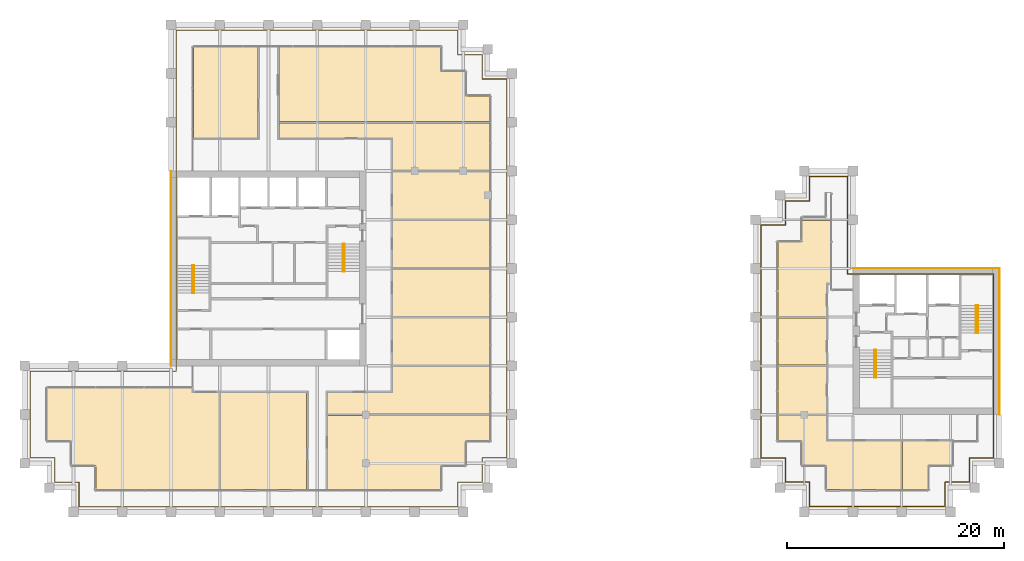
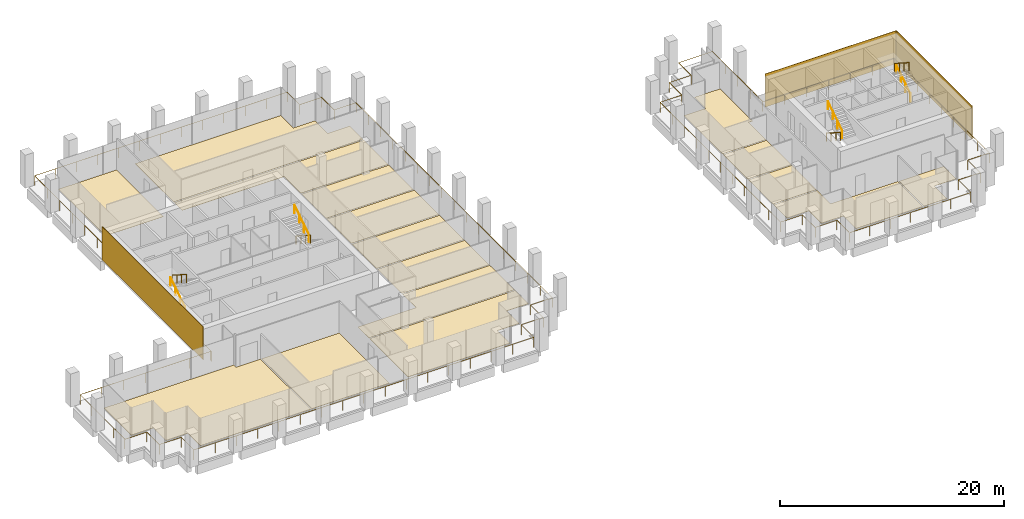
# One storey, part 40 of 40: 19 coverings, 10 railings.
"""IFC4 building model written with IfcOpenShell, lengths in metres."""

from ifc_helpers import new_model, si_unit, direction, frame, origin, origin_2d, place, context, subcontext, project, spatial, polyline, rectangle, circle, outline, extrude, source, transform, mapped, material, layer, layer_set, type_object, element, save


model = new_model("IFC4")

# Units and contexts
model_context = context("Model", 3, precision=1e-05, world=origin(), true_north=direction((0.0, 1.0)))
body_context = subcontext(model_context, "Body", "Model", "MODEL_VIEW")
ifc_project = project(units=[si_unit("LENGTHUNIT", "METRE"), si_unit("AREAUNIT", "SQUARE_METRE"), si_unit("VOLUMEUNIT", "CUBIC_METRE"), si_unit("PLANEANGLEUNIT", "RADIAN"), si_unit("MASSUNIT", "GRAM", prefix="KILO")], contexts=[model_context])

# Site, building, storey
site_placement = place(None, origin())
site = spatial("IfcSite", under=ifc_project, at=site_placement, CompositionType="ELEMENT")
building_placement = place(site_placement, origin())
building = spatial("IfcBuilding", under=site, at=building_placement, Name="Altepetl Exchange Towers", CompositionType="ELEMENT")
storey_placement = place(building_placement, frame((0.0, 0.0, 176.199951171875)))
storey = spatial("IfcBuildingStorey", under=building, at=storey_placement, Name="L44", CompositionType="ELEMENT", Elevation=176.199951171875)

# Coverings
ifc_material_1 = material(Name="Carpet tile")
ifc_layer_1 = layer(ifc_material_1, 0.02001953125)
ifc_layer_set_1 = layer_set([ifc_layer_1], Name="Carpet tile")
covering_type_1 = type_object("IfcCoveringType", Name="Carpet tile floor", PredefinedType="FLOORING", material=ifc_layer_set_1)
covering_1_placement = place(storey_placement, origin())
element("IfcCovering", 1, at=covering_1_placement, inside=storey, type_object=covering_type_1, Name="Meeting room floor finish A44.05", PredefinedType="FLOORING", context=body_context, shape_type="SweptSolid", body=[
    extrude(outline(polyline([(69.9375, 44.9375), (60.96240234375, 44.9375), (60.96240234375, 40.5625), (69.9375, 40.5625), (69.9375, 44.9375)])), origin(), (0.0, 0.0, 1.0), 0.02001953125),
])
covering_2_placement = place(storey_placement, origin())
element("IfcCovering", 2, at=covering_2_placement, inside=storey, type_object=covering_type_1, Name="Meeting room floor finish A44.06", PredefinedType="FLOORING", context=body_context, shape_type="SweptSolid", body=[
    extrude(outline(polyline([(69.9375, 49.4375), (60.96240234375, 49.4375), (60.96240234375, 45.0625), (69.9375, 45.0625), (69.9375, 49.4375)])), origin(), (0.0, 0.0, 1.0), 0.02001953125),
])
covering_3_placement = place(storey_placement, origin())
element("IfcCovering", 3, at=covering_3_placement, inside=storey, type_object=covering_type_1, Name="Open office floor finish A44.11", PredefinedType="FLOORING", context=body_context, shape_type="SweptSolid", body=[
    extrude(outline(polyline([(42.5625, 61.5625), (48.53759765625, 61.5625), (48.53759765625, 69.9375), (42.5625, 69.9375), (42.5625, 61.5625)])), origin(), (0.0, 0.0, 1.0), 0.02001953125),
])
covering_4_placement = place(storey_placement, origin())
element("IfcCovering", 4, at=covering_4_placement, inside=storey, type_object=covering_type_1, Name="Pantry floor finish B44.03", PredefinedType="FLOORING", context=body_context, shape_type="SweptSolid", body=[
    extrude(outline(polyline([(108.0625, 33.53759765625), (108.0625, 29.0625), (110.4375, 29.0625), (110.4375, 31.3125), (112.6875, 31.3125), (112.6875, 33.53759765625), (108.0625, 33.53759765625)])), origin(), (0.0, 0.0, 1.0), 0.02001953125),
])
ifc_material_2 = material(Name="Cantera stone", Category="masonry")
ifc_layer_2 = layer(ifc_material_2, 0.030029296875)
ifc_layer_set_2 = layer_set([ifc_layer_2], Name="Cantera stone")
covering_type_2 = type_object("IfcCoveringType", Name="Polished stone floor", PredefinedType="FLOORING", material=ifc_layer_set_2)
covering_5_placement = place(storey_placement, origin())
element("IfcCovering", 5, at=covering_5_placement, inside=storey, type_object=covering_type_2, Name="Staff club floor finish A44.01", PredefinedType="FLOORING", context=body_context, shape_type="SweptSolid", body=[
    extrude(outline(polyline([(31.3125, 31.3125), (33.5625, 31.3125), (33.5625, 29.0625), (44.9375, 29.0625), (44.9375, 38.03759765625), (42.4375, 38.03759765625), (42.4375, 38.4375), (29.0625, 38.4375), (29.0625, 33.5625), (31.3125, 33.5625), (31.3125, 31.3125)])), origin(), (0.0, 0.0, 1.0), 0.030029296875),
])
covering_6_placement = place(storey_placement, origin())
element("IfcCovering", 6, at=covering_6_placement, inside=storey, type_object=covering_type_2, Name="Cafe floor finish A44.02", PredefinedType="FLOORING", context=body_context, shape_type="SweptSolid", body=[
    extrude(outline(polyline([(45.0625, 38.03759765625), (45.0625, 29.0625), (53.03759765625, 29.0625), (53.03759765625, 38.03759765625), (45.0625, 38.03759765625)])), origin(), (0.0, 0.0, 1.0), 0.030029296875),
])
covering_7_placement = place(storey_placement, origin())
element("IfcCovering", 7, at=covering_7_placement, inside=storey, type_object=covering_type_2, Name="Gymnasium floor finish A44.03", PredefinedType="FLOORING", context=body_context, shape_type="SweptSolid", body=[
    extrude(outline(polyline([(69.9375, 35.9375), (54.96240234375, 35.9375), (54.96240234375, 29.0625), (65.4375, 29.0625), (65.4375, 31.3125), (67.6875, 31.3125), (67.6875, 33.5625), (69.9375, 33.5625), (69.9375, 35.9375)])), origin(), (0.0, 0.0, 1.0), 0.030029296875),
])
covering_8_placement = place(storey_placement, origin())
element("IfcCovering", 8, at=covering_8_placement, inside=storey, type_object=covering_type_2, Name="Prayer room floor finish A44.04", PredefinedType="FLOORING", context=body_context, shape_type="SweptSolid", body=[
    extrude(outline(polyline([(69.9375, 40.4375), (60.96240234375, 40.4375), (60.96240234375, 38.03759765625), (54.96240234375, 38.03759765625), (54.96240234375, 36.0625), (69.9375, 36.0625), (69.9375, 40.4375)])), origin(), (0.0, 0.0, 1.0), 0.030029296875),
])
covering_9_placement = place(storey_placement, origin())
element("IfcCovering", 9, at=covering_9_placement, inside=storey, type_object=covering_type_2, Name="Lounge floor finish A44.07", PredefinedType="FLOORING", context=body_context, shape_type="SweptSolid", body=[
    extrude(outline(polyline([(69.9375, 53.9375), (60.96240234375, 53.9375), (60.96240234375, 49.5625), (69.9375, 49.5625), (69.9375, 53.9375)])), origin(), (0.0, 0.0, 1.0), 0.030029296875),
])
covering_10_placement = place(storey_placement, origin())
element("IfcCovering", 10, at=covering_10_placement, inside=storey, type_object=covering_type_2, Name="Lounge floor finish A44.08", PredefinedType="FLOORING", context=body_context, shape_type="SweptSolid", body=[
    extrude(outline(polyline([(69.9375, 58.4375), (60.96240234375, 58.4375), (60.96240234375, 54.0625), (69.9375, 54.0625), (69.9375, 58.4375)])), origin(), (0.0, 0.0, 1.0), 0.030029296875),
])
covering_11_placement = place(storey_placement, origin())
element("IfcCovering", 11, at=covering_11_placement, inside=storey, type_object=covering_type_2, Name="Library floor finish A44.09", PredefinedType="FLOORING", context=body_context, shape_type="SweptSolid", body=[
    extrude(outline(polyline([(69.9375, 62.9375), (50.46240234375, 62.9375), (50.46240234375, 61.5625), (60.96240234375, 61.5625), (60.96240234375, 58.5625), (69.9375, 58.5625), (69.9375, 62.9375)])), origin(), (0.0, 0.0, 1.0), 0.030029296875),
])
covering_12_placement = place(storey_placement, origin())
element("IfcCovering", 12, at=covering_12_placement, inside=storey, type_object=covering_type_2, Name="Restaurant floor finish A44.10", PredefinedType="FLOORING", context=body_context, shape_type="SweptSolid", body=[
    extrude(outline(polyline([(67.6875, 67.6875), (65.4375, 67.6875), (65.4375, 69.9375), (50.46240234375, 69.9375), (50.46240234375, 63.0625), (69.9375, 63.0625), (69.9375, 65.4375), (67.6875, 65.4375), (67.6875, 67.6875)])), origin(), (0.0, 0.0, 1.0), 0.030029296875),
])
covering_13_placement = place(storey_placement, origin())
element("IfcCovering", 13, at=covering_13_placement, inside=storey, type_object=covering_type_2, Name="Lounge floor finish B44.01", PredefinedType="FLOORING", context=body_context, shape_type="SweptSolid", body=[
    extrude(outline(polyline([(96.5625, 36.0625), (101.03759765625, 36.0625), (101.03759765625, 40.4375), (96.5625, 40.4375), (96.5625, 36.0625)])), origin(), (0.0, 0.0, 1.0), 0.030029296875),
])
covering_14_placement = place(storey_placement, origin())
element("IfcCovering", 14, at=covering_14_placement, inside=storey, type_object=covering_type_2, Name="Auditorium floor finish B44.02", PredefinedType="FLOORING", context=body_context, shape_type="SweptSolid", body=[
    extrude(outline(polyline([(98.8125, 33.5625), (98.8125, 31.3125), (101.0625, 31.3125), (101.0625, 29.0625), (107.9375, 29.0625), (107.9375, 33.53759765625), (101.03759765625, 33.53759765625), (101.03759765625, 35.9375), (96.5625, 35.9375), (96.5625, 33.5625), (98.8125, 33.5625)])), origin(), (0.0, 0.0, 1.0), 0.030029296875),
])
covering_15_placement = place(storey_placement, origin())
element("IfcCovering", 15, at=covering_15_placement, inside=storey, type_object=covering_type_2, Name="Auditorium floor finish B44.04", PredefinedType="FLOORING", context=body_context, shape_type="SweptSolid", body=[
    extrude(outline(polyline([(96.5625, 45.0625), (101.03759765625, 45.0625), (101.03759765625, 48.16259765625), (101.4375, 48.16259765625), (101.4375, 53.9375), (98.8125, 53.9375), (98.8125, 51.9375), (96.5625, 51.9375), (96.5625, 45.0625)])), origin(), (0.0, 0.0, 1.0), 0.030029296875),
])
covering_16_placement = place(storey_placement, origin())
element("IfcCovering", 16, at=covering_16_placement, inside=storey, type_object=covering_type_2, Name="Lounge floor finish B44.05", PredefinedType="FLOORING", context=body_context, shape_type="SweptSolid", body=[
    extrude(outline(polyline([(96.5625, 40.5625), (101.03759765625, 40.5625), (101.03759765625, 44.9375), (96.5625, 44.9375), (96.5625, 40.5625)])), origin(), (0.0, 0.0, 1.0), 0.030029296875),
])
ifc_material_3 = material(Name="Cantera limestone cladding", Category="masonry")
ifc_layer_3 = layer(ifc_material_3, 0.0400390625)
ifc_layer_set_3 = layer_set([ifc_layer_3], Name="Cantera limestone cladding")
covering_type_3 = type_object("IfcCoveringType", Name="Stone panel 40 cantera", PredefinedType="CLADDING", material=ifc_layer_set_3)
covering_17_placement = place(storey_placement, frame((40.47998046875, 49.5, 0.0), z_axis=(0.0, 0.0, 1.0), x_axis=(0.0, -1.0, 0.0)))
element("IfcCovering", 17, at=covering_17_placement, inside=storey, type_object=covering_type_3, Name="Stone cladding panel", PredefinedType="CLADDING", context=body_context, shape_type="SweptSolid", body=[
    extrude(rectangle(XDim=18.0, YDim=0.0400390625, at=origin_2d()), origin(), (0.0, 0.0, 1.0), 3.60009765625),
])
for number, where, z_axis, x_axis, name in (
    (18, (117.02001953125, 42.75, 0.0), (0.0, 0.0, 1.0), (0.0, 1.0, 0.0), "Stone cladding panel"),
    (19, (110.25, 49.52001953125, 0.0), (0.0, 0.0, 1.0), (-1.0, 0.0, 0.0), "Stone cladding panel"),
):
    element("IfcCovering", number, at=place(storey_placement, frame(where, z_axis=z_axis, x_axis=x_axis)), inside=storey, type_object=covering_type_3, Name=name, PredefinedType="CLADDING", context=body_context, shape_type="SweptSolid", body=[
        extrude(rectangle(XDim=13.5, YDim=0.0400390625, at=origin_2d()), origin(), (0.0, 0.0, 1.0), 3.60009765625),
    ])

# Railings
ifc_material_4 = material(Name="Steel S355", Category="steel")
railing_type_1 = type_object("IfcRailingType", Name="Guard 1100 steel posts and rail", PredefinedType="GUARDRAIL", material=ifc_material_4)
shared_shape_1 = source(origin(), body_context, "Body", "SweptSolid", [
    extrude(circle(Radius=0.02099609375, at=origin_2d()), origin(), (0.0, 0.0, 1.0), 1.052001953125),
])
railing_1_placement = place(storey_placement, frame((41.0, 40.0, 0.0)))
element("IfcRailing", 20, at=railing_1_placement, inside=storey, type_object=railing_type_1, Name="Loggia guard", PredefinedType="GUARDRAIL", context=body_context, shape_type="SweptSolid", body=[
    extrude(circle(Radius=0.02392578125, at=origin_2d()), frame((0.0, 0.0, 1.076171875), z_axis=(-1.0, 0.0, 0.0), x_axis=(0.0, -1.0, 0.0)), (0.0, 0.0, 1.0), 13.5),
    extrude(circle(Radius=0.02392578125, at=origin_2d()), frame((-13.5, 0.0, 1.076171875), z_axis=(0.0, -1.0, 0.0), x_axis=(1.0, 0.0, 0.0)), (0.0, 0.0, 1.0), 8.0),
    extrude(circle(Radius=0.02392578125, at=origin_2d()), frame((-13.5, -8.0, 1.076171875), z_axis=(1.0, 0.0, 0.0), x_axis=(0.0, 1.0, 0.0)), (0.0, 0.0, 1.0), 2.25),
    extrude(circle(Radius=0.02392578125, at=origin_2d()), frame((-11.25, -8.0, 1.076171875), z_axis=(0.0, -1.0, 0.0), x_axis=(1.0, 0.0, 0.0)), (0.0, 0.0, 1.0), 2.25),
    extrude(circle(Radius=0.02392578125, at=origin_2d()), frame((-11.25, -10.25, 1.076171875), z_axis=(1.0, 0.0, 0.0), x_axis=(0.0, 1.0, 0.0)), (0.0, 0.0, 1.0), 2.25),
    extrude(circle(Radius=0.02392578125, at=origin_2d()), frame((-9.0, -10.25, 1.076171875), z_axis=(0.0, -1.0, 0.0), x_axis=(1.0, 0.0, 0.0)), (0.0, 0.0, 1.0), 2.25),
    extrude(circle(Radius=0.02392578125, at=origin_2d()), frame((-9.0, -12.5, 1.076171875), z_axis=(1.0, 0.0, 0.0), x_axis=(0.0, 1.0, 0.0)), (0.0, 0.0, 1.0), 35.0),
    extrude(circle(Radius=0.02392578125, at=origin_2d()), frame((26.0, -12.5, 1.076171875), z_axis=(0.0, 1.0, 0.0), x_axis=(-1.0, 0.0, 0.0)), (0.0, 0.0, 1.0), 2.25),
    extrude(circle(Radius=0.02392578125, at=origin_2d()), frame((26.0, -10.25, 1.076171875), z_axis=(1.0, 0.0, 0.0), x_axis=(0.0, 1.0, 0.0)), (0.0, 0.0, 1.0), 2.25),
    extrude(circle(Radius=0.02392578125, at=origin_2d()), frame((28.25, -10.25, 1.076171875), z_axis=(0.0, 1.0, 0.0), x_axis=(-1.0, 0.0, 0.0)), (0.0, 0.0, 1.0), 2.25),
    extrude(circle(Radius=0.02392578125, at=origin_2d()), frame((28.25, -8.0, 1.076171875), z_axis=(1.0, 0.0, 0.0), x_axis=(0.0, 1.0, 0.0)), (0.0, 0.0, 1.0), 2.25),
    extrude(circle(Radius=0.02392578125, at=origin_2d()), frame((30.5, -8.0, 1.076171875), z_axis=(0.0, 1.0, 0.0), x_axis=(-1.0, 0.0, 0.0)), (0.0, 0.0, 1.0), 35.0),
    extrude(circle(Radius=0.02392578125, at=origin_2d()), frame((30.5, 27.0, 1.076171875), z_axis=(-1.0, 0.0, 0.0), x_axis=(0.0, -1.0, 0.0)), (0.0, 0.0, 1.0), 2.25),
    extrude(circle(Radius=0.02392578125, at=origin_2d()), frame((28.25, 27.0, 1.076171875), z_axis=(0.0, 1.0, 0.0), x_axis=(-1.0, 0.0, 0.0)), (0.0, 0.0, 1.0), 2.25),
    extrude(circle(Radius=0.02392578125, at=origin_2d()), frame((28.25, 29.25, 1.076171875), z_axis=(-1.0, 0.0, 0.0), x_axis=(0.0, -1.0, 0.0)), (0.0, 0.0, 1.0), 2.25),
    extrude(circle(Radius=0.02392578125, at=origin_2d()), frame((26.0, 29.25, 1.076171875), z_axis=(0.0, 1.0, 0.0), x_axis=(-1.0, 0.0, 0.0)), (0.0, 0.0, 1.0), 2.25),
    extrude(circle(Radius=0.02392578125, at=origin_2d()), frame((26.0, 31.5, 1.076171875), z_axis=(-1.0, 0.0, 0.0), x_axis=(0.0, -1.0, 0.0)), (0.0, 0.0, 1.0), 26.0),
    extrude(circle(Radius=0.02392578125, at=origin_2d()), frame((0.0, 31.5, 1.076171875), z_axis=(0.0, -1.0, 0.0), x_axis=(1.0, 0.0, 0.0)), (0.0, 0.0, 1.0), 31.39990234375),
    mapped(shared_shape_1, transform((0.0, 0.0, 0.0))),
    mapped(shared_shape_1, transform((-2.25, 0.0, 0.0))),
    mapped(shared_shape_1, transform((-4.5, 0.0, 0.0))),
    mapped(shared_shape_1, transform((-6.75, 0.0, 0.0))),
    mapped(shared_shape_1, transform((-9.0, 0.0, 0.0))),
    mapped(shared_shape_1, transform((-11.25, 0.0, 0.0))),
    mapped(shared_shape_1, transform((-13.5, 0.0, 0.0))),
    mapped(shared_shape_1, transform((-13.5, -2.0, 0.0))),
    mapped(shared_shape_1, transform((-13.5, -4.0, 0.0))),
    mapped(shared_shape_1, transform((-13.5, -6.0, 0.0))),
    mapped(shared_shape_1, transform((-13.5, -8.0, 0.0))),
    mapped(shared_shape_1, transform((-11.25, -8.0, 0.0))),
    mapped(shared_shape_1, transform((-11.25, -10.25, 0.0))),
    mapped(shared_shape_1, transform((-9.0, -10.25, 0.0))),
    mapped(shared_shape_1, transform((-9.0, -12.5, 0.0))),
    mapped(shared_shape_1, transform((-6.8125, -12.5, 0.0))),
    mapped(shared_shape_1, transform((-4.625, -12.5, 0.0))),
    mapped(shared_shape_1, transform((-2.4375, -12.5, 0.0))),
    mapped(shared_shape_1, transform((-0.25, -12.5, 0.0))),
    mapped(shared_shape_1, transform((1.9375, -12.5, 0.0))),
    mapped(shared_shape_1, transform((4.125, -12.5, 0.0))),
    mapped(shared_shape_1, transform((6.3125, -12.5, 0.0))),
    mapped(shared_shape_1, transform((8.5, -12.5, 0.0))),
    mapped(shared_shape_1, transform((10.6875, -12.5, 0.0))),
    mapped(shared_shape_1, transform((12.875, -12.5, 0.0))),
    mapped(shared_shape_1, transform((15.0625, -12.5, 0.0))),
    mapped(shared_shape_1, transform((17.25, -12.5, 0.0))),
    mapped(shared_shape_1, transform((19.4375, -12.5, 0.0))),
    mapped(shared_shape_1, transform((21.625, -12.5, 0.0))),
    mapped(shared_shape_1, transform((23.8125, -12.5, 0.0))),
    mapped(shared_shape_1, transform((26.0, -12.5, 0.0))),
    mapped(shared_shape_1, transform((26.0, -10.25, 0.0))),
    mapped(shared_shape_1, transform((28.25, -10.25, 0.0))),
    mapped(shared_shape_1, transform((28.25, -8.0, 0.0))),
    mapped(shared_shape_1, transform((30.5, -8.0, 0.0))),
    mapped(shared_shape_1, transform((30.5, -5.8125, 0.0))),
    mapped(shared_shape_1, transform((30.5, -3.625, 0.0))),
    mapped(shared_shape_1, transform((30.5, -1.4375, 0.0))),
    mapped(shared_shape_1, transform((30.5, 0.75, 0.0))),
    mapped(shared_shape_1, transform((30.5, 2.9375, 0.0))),
    mapped(shared_shape_1, transform((30.5, 5.125, 0.0))),
    mapped(shared_shape_1, transform((30.5, 7.3125, 0.0))),
    mapped(shared_shape_1, transform((30.5, 9.5, 0.0))),
    mapped(shared_shape_1, transform((30.5, 11.6875, 0.0))),
    mapped(shared_shape_1, transform((30.5, 13.875, 0.0))),
    mapped(shared_shape_1, transform((30.5, 16.0625, 0.0))),
    mapped(shared_shape_1, transform((30.5, 18.25, 0.0))),
    mapped(shared_shape_1, transform((30.5, 20.4375, 0.0))),
    mapped(shared_shape_1, transform((30.5, 22.625, 0.0))),
    mapped(shared_shape_1, transform((30.5, 24.8125, 0.0))),
    mapped(shared_shape_1, transform((30.5, 27.0, 0.0))),
    mapped(shared_shape_1, transform((28.25, 27.0, 0.0))),
    mapped(shared_shape_1, transform((28.25, 29.25, 0.0))),
    mapped(shared_shape_1, transform((26.0, 29.25, 0.0))),
    mapped(shared_shape_1, transform((26.0, 31.5, 0.0))),
    mapped(shared_shape_1, transform((23.833251953125, 31.5, 0.0))),
    mapped(shared_shape_1, transform((21.666748046875, 31.5, 0.0))),
    mapped(shared_shape_1, transform((19.5, 31.5, 0.0))),
    mapped(shared_shape_1, transform((17.333251953125, 31.5, 0.0))),
    mapped(shared_shape_1, transform((15.166748046875, 31.5, 0.0))),
    mapped(shared_shape_1, transform((13.0, 31.5, 0.0))),
    mapped(shared_shape_1, transform((10.833251953125, 31.5, 0.0))),
    mapped(shared_shape_1, transform((8.666748046875, 31.5, 0.0))),
    mapped(shared_shape_1, transform((6.5, 31.5, 0.0))),
    mapped(shared_shape_1, transform((4.333251953125, 31.5, 0.0))),
    mapped(shared_shape_1, transform((2.166748046875, 31.5, 0.0))),
    mapped(shared_shape_1, transform((0.0, 31.5, 0.0))),
    mapped(shared_shape_1, transform((0.0, 29.257080078125, 0.0))),
    mapped(shared_shape_1, transform((0.0, 27.014404296875, 0.0))),
    mapped(shared_shape_1, transform((0.0, 24.771484375, 0.0))),
    mapped(shared_shape_1, transform((0.0, 22.528564453125, 0.0))),
    mapped(shared_shape_1, transform((0.0, 20.28564453125, 0.0))),
    mapped(shared_shape_1, transform((0.0, 18.04296875, 0.0))),
    mapped(shared_shape_1, transform((0.0, 15.800048828125, 0.0))),
    mapped(shared_shape_1, transform((0.0, 13.55712890625, 0.0))),
    mapped(shared_shape_1, transform((0.0, 11.314453125, 0.0))),
    mapped(shared_shape_1, transform((0.0, 9.071533203125, 0.0))),
    mapped(shared_shape_1, transform((0.0, 6.82861328125, 0.0))),
    mapped(shared_shape_1, transform((0.0, 4.585693359375, 0.0))),
    mapped(shared_shape_1, transform((0.0, 2.343017578125, 0.0))),
    mapped(shared_shape_1, transform((0.0, 0.10009765625, 0.0))),
])
railing_2_placement = place(storey_placement, frame((99.5, 27.5, 0.0)))
element("IfcRailing", 21, at=railing_2_placement, inside=storey, type_object=railing_type_1, Name="Loggia guard", PredefinedType="GUARDRAIL", context=body_context, shape_type="SweptSolid", body=[
    extrude(circle(Radius=0.02392578125, at=origin_2d()), frame((0.0, 0.0, 1.076171875), z_axis=(1.0, 0.0, 0.0), x_axis=(0.0, 1.0, 0.0)), (0.0, 0.0, 1.0), 12.5),
    extrude(circle(Radius=0.02392578125, at=origin_2d()), frame((12.5, 0.0, 1.076171875), z_axis=(0.0, 1.0, 0.0), x_axis=(-1.0, 0.0, 0.0)), (0.0, 0.0, 1.0), 2.25),
    extrude(circle(Radius=0.02392578125, at=origin_2d()), frame((12.5, 2.25, 1.076171875), z_axis=(1.0, 0.0, 0.0), x_axis=(0.0, 1.0, 0.0)), (0.0, 0.0, 1.0), 2.25),
    extrude(circle(Radius=0.02392578125, at=origin_2d()), frame((14.75, 2.25, 1.076171875), z_axis=(0.0, 1.0, 0.0), x_axis=(-1.0, 0.0, 0.0)), (0.0, 0.0, 1.0), 2.25),
    extrude(circle(Radius=0.02392578125, at=origin_2d()), frame((14.75, 4.5, 1.076171875), z_axis=(1.0, 0.0, 0.0), x_axis=(0.0, 1.0, 0.0)), (0.0, 0.0, 1.0), 2.25),
    extrude(circle(Radius=0.02392578125, at=origin_2d()), frame((17.0, 4.5, 1.076171875), z_axis=(0.0, 1.0, 0.0), x_axis=(-1.0, 0.0, 0.0)), (0.0, 0.0, 1.0), 17.0),
    extrude(circle(Radius=0.02392578125, at=origin_2d()), frame((17.0, 21.5, 1.076171875), z_axis=(-1.0, 0.0, 0.0), x_axis=(0.0, -1.0, 0.0)), (0.0, 0.0, 1.0), 13.5),
    extrude(circle(Radius=0.02392578125, at=origin_2d()), frame((3.5, 21.5, 1.076171875), z_axis=(0.0, 1.0, 0.0), x_axis=(-1.0, 0.0, 0.0)), (0.0, 0.0, 1.0), 9.0),
    extrude(circle(Radius=0.02392578125, at=origin_2d()), frame((3.5, 30.5, 1.076171875), z_axis=(-1.0, 0.0, 0.0), x_axis=(0.0, -1.0, 0.0)), (0.0, 0.0, 1.0), 3.5),
    extrude(circle(Radius=0.02392578125, at=origin_2d()), frame((0.0, 30.5, 1.076171875), z_axis=(0.0, -1.0, 0.0), x_axis=(1.0, 0.0, 0.0)), (0.0, 0.0, 1.0), 2.25),
    extrude(circle(Radius=0.02392578125, at=origin_2d()), frame((0.0, 28.25, 1.076171875), z_axis=(-1.0, 0.0, 0.0), x_axis=(0.0, -1.0, 0.0)), (0.0, 0.0, 1.0), 2.25),
    extrude(circle(Radius=0.02392578125, at=origin_2d()), frame((-2.25, 28.25, 1.076171875), z_axis=(0.0, -1.0, 0.0), x_axis=(1.0, 0.0, 0.0)), (0.0, 0.0, 1.0), 2.25),
    extrude(circle(Radius=0.02392578125, at=origin_2d()), frame((-2.25, 26.0, 1.076171875), z_axis=(-1.0, 0.0, 0.0), x_axis=(0.0, -1.0, 0.0)), (0.0, 0.0, 1.0), 2.25),
    extrude(circle(Radius=0.02392578125, at=origin_2d()), frame((-4.5, 26.0, 1.076171875), z_axis=(0.0, -1.0, 0.0), x_axis=(1.0, 0.0, 0.0)), (0.0, 0.0, 1.0), 21.5),
    extrude(circle(Radius=0.02392578125, at=origin_2d()), frame((-4.5, 4.5, 1.076171875), z_axis=(1.0, 0.0, 0.0), x_axis=(0.0, 1.0, 0.0)), (0.0, 0.0, 1.0), 2.25),
    extrude(circle(Radius=0.02392578125, at=origin_2d()), frame((-2.25, 4.5, 1.076171875), z_axis=(0.0, -1.0, 0.0), x_axis=(1.0, 0.0, 0.0)), (0.0, 0.0, 1.0), 2.25),
    extrude(circle(Radius=0.02392578125, at=origin_2d()), frame((-2.25, 2.25, 1.076171875), z_axis=(1.0, 0.0, 0.0), x_axis=(0.0, 1.0, 0.0)), (0.0, 0.0, 1.0), 2.25),
    extrude(circle(Radius=0.02392578125, at=origin_2d()), frame((0.0, 2.25, 1.076171875), z_axis=(0.0, -1.0, 0.0), x_axis=(1.0, 0.0, 0.0)), (0.0, 0.0, 1.0), 2.14990234375),
    mapped(shared_shape_1, transform((0.0, 0.0, 0.0))),
    mapped(shared_shape_1, transform((2.083251953125, 0.0, 0.0))),
    mapped(shared_shape_1, transform((4.166748046875, 0.0, 0.0))),
    mapped(shared_shape_1, transform((6.25, 0.0, 0.0))),
    mapped(shared_shape_1, transform((8.333251953125, 0.0, 0.0))),
    mapped(shared_shape_1, transform((10.416748046875, 0.0, 0.0))),
    mapped(shared_shape_1, transform((12.5, 0.0, 0.0))),
    mapped(shared_shape_1, transform((12.5, 2.25, 0.0))),
    mapped(shared_shape_1, transform((14.75, 2.25, 0.0))),
    mapped(shared_shape_1, transform((14.75, 4.5, 0.0))),
    mapped(shared_shape_1, transform((17.0, 4.5, 0.0))),
    mapped(shared_shape_1, transform((17.0, 6.625, 0.0))),
    mapped(shared_shape_1, transform((17.0, 8.75, 0.0))),
    mapped(shared_shape_1, transform((17.0, 10.875, 0.0))),
    mapped(shared_shape_1, transform((17.0, 13.0, 0.0))),
    mapped(shared_shape_1, transform((17.0, 15.125, 0.0))),
    mapped(shared_shape_1, transform((17.0, 17.25, 0.0))),
    mapped(shared_shape_1, transform((17.0, 19.375, 0.0))),
    mapped(shared_shape_1, transform((17.0, 21.5, 0.0))),
    mapped(shared_shape_1, transform((14.75, 21.5, 0.0))),
    mapped(shared_shape_1, transform((12.5, 21.5, 0.0))),
    mapped(shared_shape_1, transform((10.25, 21.5, 0.0))),
    mapped(shared_shape_1, transform((8.0, 21.5, 0.0))),
    mapped(shared_shape_1, transform((5.75, 21.5, 0.0))),
    mapped(shared_shape_1, transform((3.5, 21.5, 0.0))),
    mapped(shared_shape_1, transform((3.5, 23.75, 0.0))),
    mapped(shared_shape_1, transform((3.5, 26.0, 0.0))),
    mapped(shared_shape_1, transform((3.5, 28.25, 0.0))),
    mapped(shared_shape_1, transform((3.5, 30.5, 0.0))),
    mapped(shared_shape_1, transform((1.75, 30.5, 0.0))),
    mapped(shared_shape_1, transform((0.0, 30.5, 0.0))),
    mapped(shared_shape_1, transform((0.0, 28.25, 0.0))),
    mapped(shared_shape_1, transform((-2.25, 28.25, 0.0))),
    mapped(shared_shape_1, transform((-2.25, 26.0, 0.0))),
    mapped(shared_shape_1, transform((-4.5, 26.0, 0.0))),
    mapped(shared_shape_1, transform((-4.5, 23.85009765625, 0.0))),
    mapped(shared_shape_1, transform((-4.5, 21.699951171875, 0.0))),
    mapped(shared_shape_1, transform((-4.5, 19.550048828125, 0.0))),
    mapped(shared_shape_1, transform((-4.5, 17.39990234375, 0.0))),
    mapped(shared_shape_1, transform((-4.5, 15.25, 0.0))),
    mapped(shared_shape_1, transform((-4.5, 13.10009765625, 0.0))),
    mapped(shared_shape_1, transform((-4.5, 10.949951171875, 0.0))),
    mapped(shared_shape_1, transform((-4.5, 8.800048828125, 0.0))),
    mapped(shared_shape_1, transform((-4.5, 6.64990234375, 0.0))),
    mapped(shared_shape_1, transform((-4.5, 4.5, 0.0))),
    mapped(shared_shape_1, transform((-2.25, 4.5, 0.0))),
    mapped(shared_shape_1, transform((-2.25, 2.25, 0.0))),
    mapped(shared_shape_1, transform((0.0, 2.25, 0.0))),
    mapped(shared_shape_1, transform((0.0, 0.10009765625, 0.0))),
])
ifc_material_5 = material(Name="Steel", Category="steel")
railing_type_2 = type_object("IfcRailingType", Name="Stair handrail 50 steel tube", PredefinedType="HANDRAIL", material=ifc_material_5)
shared_shape_2 = source(origin(), body_context, "Body", "SweptSolid", [
    extrude(circle(Radius=0.02099609375, at=origin_2d()), origin(), (0.0, 0.0, 1.0), 0.851806640625),
])
railing_3_placement = place(storey_placement, frame((42.469970703125, 47.25, 0.179931640625)))
element("IfcRailing", 22, at=railing_3_placement, inside=storey, type_object=railing_type_2, Name="Stair handrail", PredefinedType="HANDRAIL", context=body_context, shape_type="SweptSolid", body=[
    extrude(circle(Radius=0.02392578125, at=origin_2d()), frame((0.0, 0.0, 0.8759765625), z_axis=(0.0, 0.841162588446, 0.540782303519), x_axis=(-1.0, 0.0, 0.0)), (0.0, 0.0, 1.0), 2.995849609375),
    mapped(shared_shape_2, transform((0.0, 0.0, 0.0))),
    mapped(shared_shape_2, transform((0.0, 0.840087890625, 0.5400390625))),
    mapped(shared_shape_2, transform((0.0, 1.679931640625, 1.080078125))),
    mapped(shared_shape_2, transform((0.0, 2.52001953125, 1.6201171875))),
])
for number, where, name in (
    (23, (42.6298828125, 49.77001953125, 1.97998046875), "Stair handrail"),
    (24, (56.530029296875, 51.75, 0.179931640625), "Stair handrail"),
):
    element("IfcRailing", number, at=place(storey_placement, frame(where)), inside=storey, type_object=railing_type_2, Name=name, PredefinedType="HANDRAIL", context=body_context, shape_type="SweptSolid", body=[
        extrude(circle(Radius=0.02392578125, at=origin_2d()), frame((0.0, 0.0, 0.8759765625), z_axis=(0.0, -0.841162588446, 0.540782303519), x_axis=(1.0, 0.0, 0.0)), (0.0, 0.0, 1.0), 2.995849609375),
        mapped(shared_shape_2, transform((0.0, 0.0, 0.0))),
        mapped(shared_shape_2, transform((0.0, -0.840087890625, 0.5400390625))),
        mapped(shared_shape_2, transform((0.0, -1.679931640625, 1.080078125))),
        mapped(shared_shape_2, transform((0.0, -2.52001953125, 1.6201171875))),
    ])
railing_4_placement = place(storey_placement, frame((56.3701171875, 49.22998046875, 1.97998046875)))
element("IfcRailing", 25, at=railing_4_placement, inside=storey, type_object=railing_type_2, Name="Stair handrail", PredefinedType="HANDRAIL", context=body_context, shape_type="SweptSolid", body=[
    extrude(circle(Radius=0.02392578125, at=origin_2d()), frame((0.0, 0.0, 0.8759765625), z_axis=(0.0, 0.841162588446, 0.540782303519), x_axis=(-1.0, 0.0, 0.0)), (0.0, 0.0, 1.0), 2.995849609375),
    mapped(shared_shape_2, transform((0.0, 0.0, 0.0))),
    mapped(shared_shape_2, transform((0.0, 0.840087890625, 0.5400390625))),
    mapped(shared_shape_2, transform((0.0, 1.679931640625, 1.080078125))),
    mapped(shared_shape_2, transform((0.0, 2.52001953125, 1.6201171875))),
])
railing_5_placement = place(storey_placement, frame((105.469970703125, 41.949951171875, 0.179931640625)))
element("IfcRailing", 26, at=railing_5_placement, inside=storey, type_object=railing_type_2, Name="Stair handrail", PredefinedType="HANDRAIL", context=body_context, shape_type="SweptSolid", body=[
    extrude(circle(Radius=0.02392578125, at=origin_2d()), frame((0.0, 0.0, 0.8759765625), z_axis=(0.0, -0.841162588446, 0.540782303519), x_axis=(1.0, 0.0, 0.0)), (0.0, 0.0, 1.0), 2.995849609375),
    mapped(shared_shape_2, transform((0.0, 0.0, 0.0))),
    mapped(shared_shape_2, transform((0.0, -0.840087890625, 0.5400390625))),
    mapped(shared_shape_2, transform((0.0, -1.679931640625, 1.080078125))),
    mapped(shared_shape_2, transform((0.0, -2.52001953125, 1.6201171875))),
])
for number, where, name in (
    (27, (105.6298828125, 39.429931640625, 1.97998046875), "Stair handrail"),
    (28, (115.030029296875, 43.550048828125, 0.179931640625), "Stair handrail"),
):
    element("IfcRailing", number, at=place(storey_placement, frame(where)), inside=storey, type_object=railing_type_2, Name=name, PredefinedType="HANDRAIL", context=body_context, shape_type="SweptSolid", body=[
        extrude(circle(Radius=0.02392578125, at=origin_2d()), frame((0.0, 0.0, 0.8759765625), z_axis=(0.0, 0.841162588446, 0.540782303519), x_axis=(-1.0, 0.0, 0.0)), (0.0, 0.0, 1.0), 2.995849609375),
        mapped(shared_shape_2, transform((0.0, 0.0, 0.0))),
        mapped(shared_shape_2, transform((0.0, 0.840087890625, 0.5400390625))),
        mapped(shared_shape_2, transform((0.0, 1.679931640625, 1.080078125))),
        mapped(shared_shape_2, transform((0.0, 2.52001953125, 1.6201171875))),
    ])
railing_6_placement = place(storey_placement, frame((114.8701171875, 46.070068359375, 1.97998046875)))
element("IfcRailing", 29, at=railing_6_placement, inside=storey, type_object=railing_type_2, Name="Stair handrail", PredefinedType="HANDRAIL", context=body_context, shape_type="SweptSolid", body=[
    extrude(circle(Radius=0.02392578125, at=origin_2d()), frame((0.0, 0.0, 0.8759765625), z_axis=(0.0, -0.841162588446, 0.540782303519), x_axis=(1.0, 0.0, 0.0)), (0.0, 0.0, 1.0), 2.995849609375),
    mapped(shared_shape_2, transform((0.0, 0.0, 0.0))),
    mapped(shared_shape_2, transform((0.0, -0.840087890625, 0.5400390625))),
    mapped(shared_shape_2, transform((0.0, -1.679931640625, 1.080078125))),
    mapped(shared_shape_2, transform((0.0, -2.52001953125, 1.6201171875))),
])

save(model, "model.ifc")
